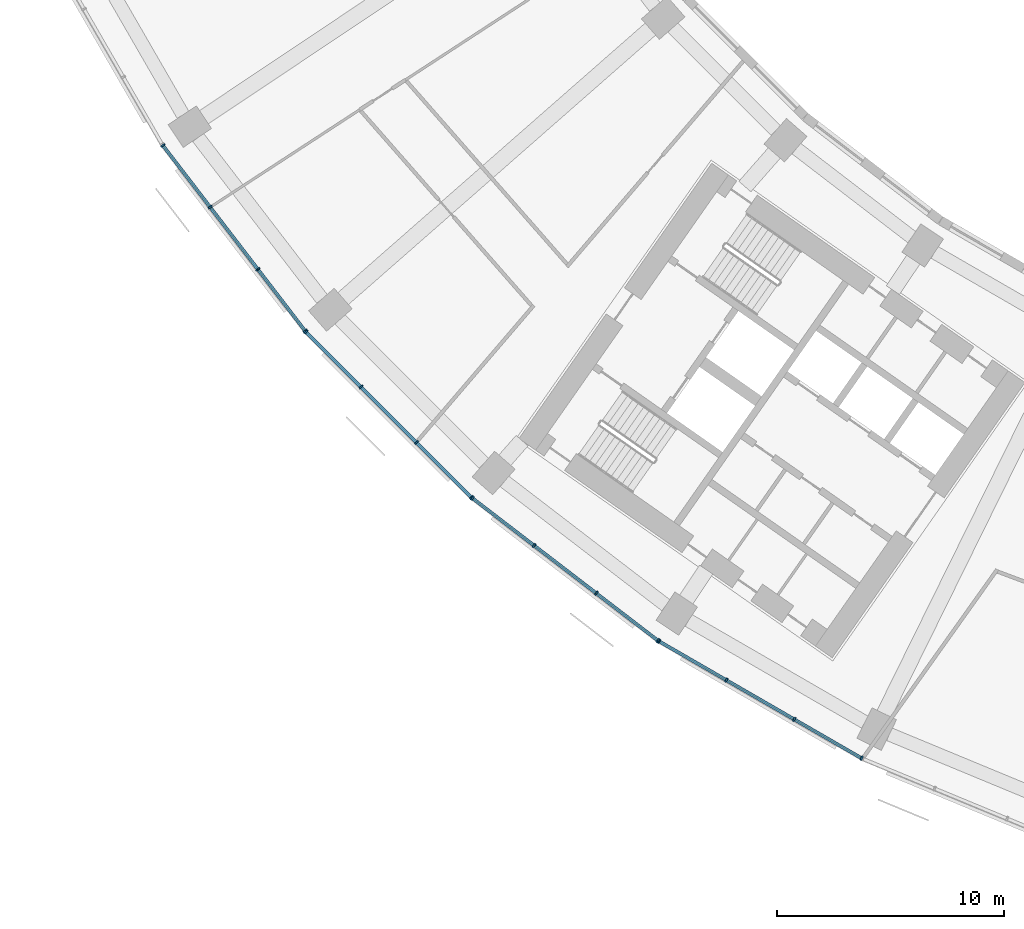
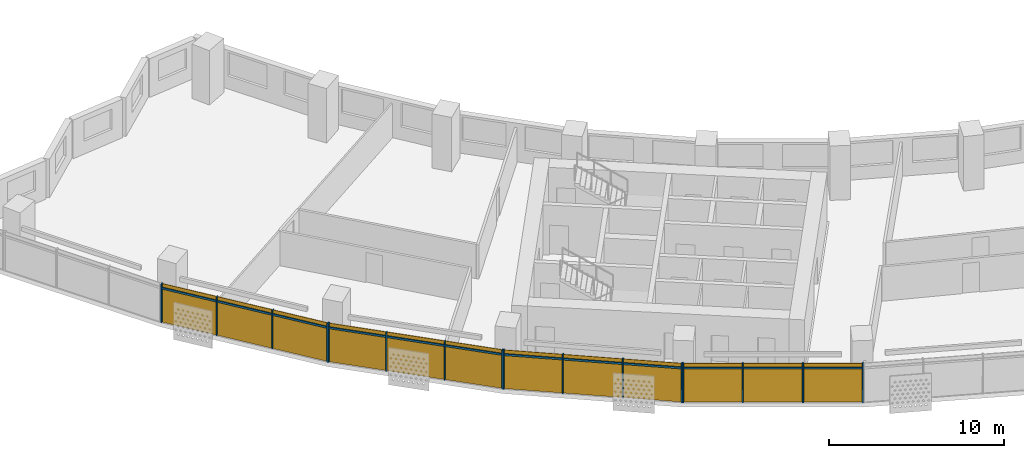
# One storey, part 18 of 29: 28 members, 4 curtain walls.
"""IFC4 building model written with IfcOpenShell, lengths in metres."""

from ifc_helpers import new_model, si_unit, direction, frame, origin, origin_2d, place, context, subcontext, project, spatial, rectangle, extrude, material, material_profile, profile_set, type_object, element, aggregate, save


model = new_model("IFC4")

# Units and contexts
model_context = context("Model", 3, precision=1e-05, world=origin(), true_north=direction((0.0, 1.0)))
body_context = subcontext(model_context, "Body", "Model", "MODEL_VIEW")
ifc_project = project(units=[si_unit("LENGTHUNIT", "METRE"), si_unit("AREAUNIT", "SQUARE_METRE"), si_unit("VOLUMEUNIT", "CUBIC_METRE"), si_unit("PLANEANGLEUNIT", "RADIAN"), si_unit("MASSUNIT", "GRAM", prefix="KILO")], contexts=[model_context])

# Member
ifc_material = material(Name="Aluminium 6063-T6 anodised", Category="aluminium")
ifc_material_profile_1 = material_profile(ifc_material, rectangle(XDim=0.199951171875, YDim=0.070068359375, at=origin_2d()))
ifc_profile_set_1 = profile_set([ifc_material_profile_1], Name="Aluminium 6063-T6 anodised")
member_type_1 = type_object("IfcMemberType", Name="Mullion 70 x 200 aluminium", PredefinedType="MULLION", material=ifc_profile_set_1)
site_placement = place(None, origin())
building_placement = place(site_placement, origin())
storey_placement = place(building_placement, frame((0.0, 0.0, 113.89990234375)))
member_1_placement = place(storey_placement, frame((-65.8349609375, -44.023681640625, 0.0), z_axis=(0.0, 0.0, 1.0), x_axis=(0.793353340291, 0.608761429009, 0.0)))
member_1 = element("IfcMember", 1, at=member_1_placement, type_object=member_type_1, Name="e-cw1-L25-out02/M00", PredefinedType="MULLION", context=body_context, shape_type="SweptSolid", body=[
    extrude(rectangle(XDim=0.199951171875, YDim=0.070068359375, at=origin_2d()), origin(), (0.0, 0.0, 1.0), 2.7001953125),
])

member_2_placement = place(storey_placement, frame((-63.751220703125, -46.739013671875, 0.0), z_axis=(0.0, 0.0, 1.0), x_axis=(0.793353340291, 0.608761429009, 0.0)))
member_2 = element("IfcMember", 2, at=member_2_placement, type_object=member_type_1, Name="e-cw1-L25-out02/M01", PredefinedType="MULLION", context=body_context, shape_type="SweptSolid", body=[
    extrude(rectangle(XDim=0.199951171875, YDim=0.070068359375, at=origin_2d()), origin(), (0.0, 0.0, 1.0), 2.7001953125),
])

member_3_placement = place(storey_placement, frame((-61.646484375, -49.482177734375, 0.0), z_axis=(0.0, 0.0, 1.0), x_axis=(0.793353340291, 0.608761429009, 0.0)))
member_3 = element("IfcMember", 3, at=member_3_placement, type_object=member_type_1, Name="e-cw1-L25-out02/M02", PredefinedType="MULLION", context=body_context, shape_type="SweptSolid", body=[
    extrude(rectangle(XDim=0.199951171875, YDim=0.070068359375, at=origin_2d()), origin(), (0.0, 0.0, 1.0), 2.7001953125),
])

member_4_placement = place(storey_placement, frame((-59.56298828125, -52.197509765625, 0.0), z_axis=(0.0, 0.0, 1.0), x_axis=(0.793353340291, 0.608761429009, 0.0)))
member_4 = element("IfcMember", 4, at=member_4_placement, type_object=member_type_1, Name="e-cw1-L25-out02/M03", PredefinedType="MULLION", context=body_context, shape_type="SweptSolid", body=[
    extrude(rectangle(XDim=0.199951171875, YDim=0.070068359375, at=origin_2d()), origin(), (0.0, 0.0, 1.0), 2.7001953125),
])

member_5_placement = place(storey_placement, frame((-59.525390625, -52.240234375, 0.0), z_axis=(0.0, 0.0, 1.0), x_axis=(0.707106781187, 0.707106781187, 0.0)))
member_5 = element("IfcMember", 5, at=member_5_placement, type_object=member_type_1, Name="e-cw1-L25-out03/M00", PredefinedType="MULLION", context=body_context, shape_type="SweptSolid", body=[
    extrude(rectangle(XDim=0.199951171875, YDim=0.070068359375, at=origin_2d()), origin(), (0.0, 0.0, 1.0), 2.7001953125),
])

member_6_placement = place(storey_placement, frame((-57.105224609375, -54.660400390625, 0.0), z_axis=(0.0, 0.0, 1.0), x_axis=(0.707106781187, 0.707106781187, 0.0)))
member_6 = element("IfcMember", 6, at=member_6_placement, type_object=member_type_1, Name="e-cw1-L25-out03/M01", PredefinedType="MULLION", context=body_context, shape_type="SweptSolid", body=[
    extrude(rectangle(XDim=0.199951171875, YDim=0.070068359375, at=origin_2d()), origin(), (0.0, 0.0, 1.0), 2.7001953125),
])

member_7_placement = place(storey_placement, frame((-54.660400390625, -57.105224609375, 0.0), z_axis=(0.0, 0.0, 1.0), x_axis=(0.707106781187, 0.707106781187, 0.0)))
member_7 = element("IfcMember", 7, at=member_7_placement, type_object=member_type_1, Name="e-cw1-L25-out03/M02", PredefinedType="MULLION", context=body_context, shape_type="SweptSolid", body=[
    extrude(rectangle(XDim=0.199951171875, YDim=0.070068359375, at=origin_2d()), origin(), (0.0, 0.0, 1.0), 2.7001953125),
])

member_8_placement = place(storey_placement, frame((-52.240234375, -59.525390625, 0.0), z_axis=(0.0, 0.0, 1.0), x_axis=(0.707106781187, 0.707106781187, 0.0)))
member_8 = element("IfcMember", 8, at=member_8_placement, type_object=member_type_1, Name="e-cw1-L25-out03/M03", PredefinedType="MULLION", context=body_context, shape_type="SweptSolid", body=[
    extrude(rectangle(XDim=0.199951171875, YDim=0.070068359375, at=origin_2d()), origin(), (0.0, 0.0, 1.0), 2.7001953125),
])

member_9_placement = place(storey_placement, frame((-52.197509765625, -59.56298828125, 0.0), z_axis=(0.0, 0.0, 1.0), x_axis=(0.608761429009, 0.793353340291, 0.0)))
member_9 = element("IfcMember", 9, at=member_9_placement, type_object=member_type_1, Name="e-cw1-L25-out04/M00", PredefinedType="MULLION", context=body_context, shape_type="SweptSolid", body=[
    extrude(rectangle(XDim=0.199951171875, YDim=0.070068359375, at=origin_2d()), origin(), (0.0, 0.0, 1.0), 2.7001953125),
])

member_10_placement = place(storey_placement, frame((-49.482177734375, -61.646484375, 0.0), z_axis=(0.0, 0.0, 1.0), x_axis=(0.608761429009, 0.793353340291, 0.0)))
member_10 = element("IfcMember", 10, at=member_10_placement, type_object=member_type_1, Name="e-cw1-L25-out04/M01", PredefinedType="MULLION", context=body_context, shape_type="SweptSolid", body=[
    extrude(rectangle(XDim=0.199951171875, YDim=0.070068359375, at=origin_2d()), origin(), (0.0, 0.0, 1.0), 2.7001953125),
])

member_11_placement = place(storey_placement, frame((-46.739013671875, -63.751220703125, 0.0), z_axis=(0.0, 0.0, 1.0), x_axis=(0.608761429009, 0.793353340291, 0.0)))
member_11 = element("IfcMember", 11, at=member_11_placement, type_object=member_type_1, Name="e-cw1-L25-out04/M02", PredefinedType="MULLION", context=body_context, shape_type="SweptSolid", body=[
    extrude(rectangle(XDim=0.199951171875, YDim=0.070068359375, at=origin_2d()), origin(), (0.0, 0.0, 1.0), 2.7001953125),
])

member_12_placement = place(storey_placement, frame((-44.023681640625, -65.8349609375, 0.0), z_axis=(0.0, 0.0, 1.0), x_axis=(0.608761429009, 0.793353340291, 0.0)))
member_12 = element("IfcMember", 12, at=member_12_placement, type_object=member_type_1, Name="e-cw1-L25-out04/M03", PredefinedType="MULLION", context=body_context, shape_type="SweptSolid", body=[
    extrude(rectangle(XDim=0.199951171875, YDim=0.070068359375, at=origin_2d()), origin(), (0.0, 0.0, 1.0), 2.7001953125),
])

member_13_placement = place(storey_placement, frame((-43.976318359375, -65.866455078125, 0.0), z_axis=(0.0, 0.0, 1.0), x_axis=(0.5, 0.866025403784, 0.0)))
member_13 = element("IfcMember", 13, at=member_13_placement, type_object=member_type_1, Name="e-cw1-L25-out05/M00", PredefinedType="MULLION", context=body_context, shape_type="SweptSolid", body=[
    extrude(rectangle(XDim=0.199951171875, YDim=0.070068359375, at=origin_2d()), origin(), (0.0, 0.0, 1.0), 2.7001953125),
])

member_14_placement = place(storey_placement, frame((-41.01220703125, -67.577880859375, 0.0), z_axis=(0.0, 0.0, 1.0), x_axis=(0.5, 0.866025403784, 0.0)))
member_14 = element("IfcMember", 14, at=member_14_placement, type_object=member_type_1, Name="e-cw1-L25-out05/M01", PredefinedType="MULLION", context=body_context, shape_type="SweptSolid", body=[
    extrude(rectangle(XDim=0.199951171875, YDim=0.070068359375, at=origin_2d()), origin(), (0.0, 0.0, 1.0), 2.7001953125),
])

member_15_placement = place(storey_placement, frame((-38.017822265625, -69.306640625, 0.0), z_axis=(0.0, 0.0, 1.0), x_axis=(0.5, 0.866025403784, 0.0)))
member_15 = element("IfcMember", 15, at=member_15_placement, type_object=member_type_1, Name="e-cw1-L25-out05/M02", PredefinedType="MULLION", context=body_context, shape_type="SweptSolid", body=[
    extrude(rectangle(XDim=0.199951171875, YDim=0.070068359375, at=origin_2d()), origin(), (0.0, 0.0, 1.0), 2.7001953125),
])

member_16_placement = place(storey_placement, frame((-35.0537109375, -71.017822265625, 0.0), z_axis=(0.0, 0.0, 1.0), x_axis=(0.5, 0.866025403784, 0.0)))
member_16 = element("IfcMember", 16, at=member_16_placement, type_object=member_type_1, Name="e-cw1-L25-out05/M03", PredefinedType="MULLION", context=body_context, shape_type="SweptSolid", body=[
    extrude(rectangle(XDim=0.199951171875, YDim=0.070068359375, at=origin_2d()), origin(), (0.0, 0.0, 1.0), 2.7001953125),
])

ifc_material_profile_2 = material_profile(ifc_material, rectangle(XDim=0.139892578125, YDim=0.1201171875, at=origin_2d()))
ifc_profile_set_2 = profile_set([ifc_material_profile_2], Name="Aluminium 6063-T6 anodised")
member_type_2 = type_object("IfcMemberType", Name="Transom 120 x 140 aluminium", PredefinedType="USERDEFINED", material=ifc_profile_set_2)
member_17_placement = place(storey_placement, frame((-65.8134765625, -44.05126953125, 2.400146484375), z_axis=(0.608714331426, -0.793389477316, 0.0), x_axis=(0.793389477316, 0.608714331426, 0.0)))
member_17 = element("IfcMember", 17, at=member_17_placement, type_object=member_type_2, Name="e-cw1-L25-out02/T00", ObjectType="TRANSOM", PredefinedType="USERDEFINED", context=body_context, shape_type="SweptSolid", body=[
    extrude(rectangle(XDim=0.139892578125, YDim=0.1201171875, at=origin_2d()), origin(), (0.0, 0.0, 1.0), 3.3525390625),
])

member_18_placement = place(storey_placement, frame((-63.72998046875, -46.766845703125, 2.400146484375), z_axis=(0.608773427772, -0.793344133173, 0.0), x_axis=(0.793344133173, 0.608773427772, 0.0)))
member_18 = element("IfcMember", 18, at=member_18_placement, type_object=member_type_2, Name="e-cw1-L25-out02/T01", ObjectType="TRANSOM", PredefinedType="USERDEFINED", context=body_context, shape_type="SweptSolid", body=[
    extrude(rectangle(XDim=0.139892578125, YDim=0.1201171875, at=origin_2d()), origin(), (0.0, 0.0, 1.0), 3.387451171875),
])

member_19_placement = place(storey_placement, frame((-61.625244140625, -49.509765625, 2.400146484375), z_axis=(0.608760167055, -0.793354308621, 0.0), x_axis=(0.793354308621, 0.608760167055, 0.0)))
member_19 = element("IfcMember", 19, at=member_19_placement, type_object=member_type_2, Name="e-cw1-L25-out02/T02", ObjectType="TRANSOM", PredefinedType="USERDEFINED", context=body_context, shape_type="SweptSolid", body=[
    extrude(rectangle(XDim=0.139892578125, YDim=0.1201171875, at=origin_2d()), origin(), (0.0, 0.0, 1.0), 3.352783203125),
])

member_20_placement = place(storey_placement, frame((-59.500732421875, -52.264892578125, 2.400146484375), z_axis=(0.707106781187, -0.707106781187, 0.0), x_axis=(0.707106781187, 0.707106781187, 0.0)))
member_20 = element("IfcMember", 20, at=member_20_placement, type_object=member_type_2, Name="e-cw1-L25-out03/T00", ObjectType="TRANSOM", PredefinedType="USERDEFINED", context=body_context, shape_type="SweptSolid", body=[
    extrude(rectangle(XDim=0.139892578125, YDim=0.1201171875, at=origin_2d()), origin(), (0.0, 0.0, 1.0), 3.3525390625),
])

member_21_placement = place(storey_placement, frame((-57.08056640625, -54.68505859375, 2.400146484375), z_axis=(0.707106781187, -0.707106781187, 0.0), x_axis=(0.707106781187, 0.707106781187, 0.0)))
member_21 = element("IfcMember", 21, at=member_21_placement, type_object=member_type_2, Name="e-cw1-L25-out03/T01", ObjectType="TRANSOM", PredefinedType="USERDEFINED", context=body_context, shape_type="SweptSolid", body=[
    extrude(rectangle(XDim=0.139892578125, YDim=0.1201171875, at=origin_2d()), origin(), (0.0, 0.0, 1.0), 3.3876953125),
])

member_22_placement = place(storey_placement, frame((-54.635498046875, -57.130126953125, 2.400146484375), z_axis=(0.707106781187, -0.707106781187, 0.0), x_axis=(0.707106781187, 0.707106781187, 0.0)))
member_22 = element("IfcMember", 22, at=member_22_placement, type_object=member_type_2, Name="e-cw1-L25-out03/T02", ObjectType="TRANSOM", PredefinedType="USERDEFINED", context=body_context, shape_type="SweptSolid", body=[
    extrude(rectangle(XDim=0.139892578125, YDim=0.1201171875, at=origin_2d()), origin(), (0.0, 0.0, 1.0), 3.3525390625),
])

member_23_placement = place(storey_placement, frame((-52.169677734375, -59.584228515625, 2.400146484375), z_axis=(0.793354308621, -0.608760167055, 0.0), x_axis=(0.608760167055, 0.793354308621, 0.0)))
member_23 = element("IfcMember", 23, at=member_23_placement, type_object=member_type_2, Name="e-cw1-L25-out04/T00", ObjectType="TRANSOM", PredefinedType="USERDEFINED", context=body_context, shape_type="SweptSolid", body=[
    extrude(rectangle(XDim=0.139892578125, YDim=0.1201171875, at=origin_2d()), origin(), (0.0, 0.0, 1.0), 3.352783203125),
])

member_24_placement = place(storey_placement, frame((-49.454345703125, -61.667724609375, 2.400146484375), z_axis=(0.793344133173, -0.608773427772, 0.0), x_axis=(0.608773427772, 0.793344133173, 0.0)))
member_24 = element("IfcMember", 24, at=member_24_placement, type_object=member_type_2, Name="e-cw1-L25-out04/T01", ObjectType="TRANSOM", PredefinedType="USERDEFINED", context=body_context, shape_type="SweptSolid", body=[
    extrude(rectangle(XDim=0.139892578125, YDim=0.1201171875, at=origin_2d()), origin(), (0.0, 0.0, 1.0), 3.387451171875),
])

member_25_placement = place(storey_placement, frame((-46.711181640625, -63.772705078125, 2.400146484375), z_axis=(0.793389477316, -0.608714331426, 0.0), x_axis=(0.608714331426, 0.793389477316, 0.0)))
member_25 = element("IfcMember", 25, at=member_25_placement, type_object=member_type_2, Name="e-cw1-L25-out04/T02", ObjectType="TRANSOM", PredefinedType="USERDEFINED", context=body_context, shape_type="SweptSolid", body=[
    extrude(rectangle(XDim=0.139892578125, YDim=0.1201171875, at=origin_2d()), origin(), (0.0, 0.0, 1.0), 3.3525390625),
])

member_26_placement = place(storey_placement, frame((-43.946044921875, -65.884033203125, 2.400146484375), z_axis=(0.866020654818, -0.50000822536, 0.0), x_axis=(0.50000822536, 0.866020654818, 0.0)))
member_26 = element("IfcMember", 26, at=member_26_placement, type_object=member_type_2, Name="e-cw1-L25-out05/T00", ObjectType="TRANSOM", PredefinedType="USERDEFINED", context=body_context, shape_type="SweptSolid", body=[
    extrude(rectangle(XDim=0.139892578125, YDim=0.1201171875, at=origin_2d()), origin(), (0.0, 0.0, 1.0), 3.3525390625),
])

member_27_placement = place(storey_placement, frame((-40.98193359375, -67.59521484375, 2.400146484375), z_axis=(0.866025971257, -0.499999017107, 0.0), x_axis=(0.499999017107, 0.866025971257, 0.0)))
member_27 = element("IfcMember", 27, at=member_27_placement, type_object=member_type_2, Name="e-cw1-L25-out05/T01", ObjectType="TRANSOM", PredefinedType="USERDEFINED", context=body_context, shape_type="SweptSolid", body=[
    extrude(rectangle(XDim=0.139892578125, YDim=0.1201171875, at=origin_2d()), origin(), (0.0, 0.0, 1.0), 3.3876953125),
])

member_28_placement = place(storey_placement, frame((-37.987548828125, -69.323974609375, 2.400146484375), z_axis=(0.865989120267, -0.50006283963, 0.0), x_axis=(0.50006283963, 0.865989120267, 0.0)))
member_28 = element("IfcMember", 28, at=member_28_placement, type_object=member_type_2, Name="e-cw1-L25-out05/T02", ObjectType="TRANSOM", PredefinedType="USERDEFINED", context=body_context, shape_type="SweptSolid", body=[
    extrude(rectangle(XDim=0.139892578125, YDim=0.1201171875, at=origin_2d()), origin(), (0.0, 0.0, 1.0), 3.3525390625),
])

# Site, building, storey
site = spatial("IfcSite", under=ifc_project, at=site_placement, CompositionType="ELEMENT")
building = spatial("IfcBuilding", under=site, at=building_placement, Name="Qamariyya Broadcast Tower", CompositionType="ELEMENT")
storey = spatial("IfcBuildingStorey", under=building, at=storey_placement, Name="L25", CompositionType="ELEMENT", Elevation=113.89990234375)

# Curtain wall
curtain_wall_type = type_object("IfcCurtainWallType", Name="Unitised curtain wall, anodised aluminium", PredefinedType="NOTDEFINED", material=ifc_material)
curtain_wall_1_placement = place(storey_placement, origin())
curtain_wall_1 = element("IfcCurtainWall", 29, at=curtain_wall_1_placement, inside=storey, type_object=curtain_wall_type, Name="e-cw1-L25-out02", PredefinedType="NOTDEFINED", context=body_context, shape_type="SweptSolid", body=[
    extrude(rectangle(XDim=3.352783203125, YDim=0.031982421875, at=origin_2d()), frame((-64.793212890625, -45.38134765625, 0.0), x_axis=(0.608760568165, -0.793354000839, 0.0)), (0.0, 0.0, 1.0), 2.340087890625),
    extrude(rectangle(XDim=3.352783203125, YDim=0.031982421875, at=origin_2d()), frame((-64.793212890625, -45.38134765625, 2.460205078125), x_axis=(0.608760568165, -0.793354000839, 0.0)), (0.0, 0.0, 1.0), 0.239990234375),
    extrude(rectangle(XDim=3.3876953125, YDim=0.031982421875, at=origin_2d()), frame((-62.69873046875, -48.110595703125, 0.0), x_axis=(0.608760568165, -0.793354000839, 0.0)), (0.0, 0.0, 1.0), 2.340087890625),
    extrude(rectangle(XDim=3.3876953125, YDim=0.031982421875, at=origin_2d()), frame((-62.69873046875, -48.110595703125, 2.460205078125), x_axis=(0.608760568165, -0.793354000839, 0.0)), (0.0, 0.0, 1.0), 0.239990234375),
    extrude(rectangle(XDim=3.352783203125, YDim=0.031982421875, at=origin_2d()), frame((-60.6044921875, -50.83984375, 0.0), x_axis=(0.608760568165, -0.793354000839, 0.0)), (0.0, 0.0, 1.0), 2.340087890625),
    extrude(rectangle(XDim=3.352783203125, YDim=0.031982421875, at=origin_2d()), frame((-60.6044921875, -50.83984375, 2.460205078125), x_axis=(0.608760568165, -0.793354000839, 0.0)), (0.0, 0.0, 1.0), 0.239990234375),
])

aggregate(curtain_wall_1, [member_1, member_2, member_3, member_4, member_17, member_18, member_19])

curtain_wall_2_placement = place(storey_placement, origin())
curtain_wall_2 = element("IfcCurtainWall", 30, at=curtain_wall_2_placement, inside=storey, type_object=curtain_wall_type, Name="e-cw1-L25-out03", PredefinedType="NOTDEFINED", context=body_context, shape_type="SweptSolid", body=[
    extrude(rectangle(XDim=3.352783203125, YDim=0.031982421875, at=origin_2d()), frame((-58.3154296875, -53.4501953125, 0.0), x_axis=(0.707106781187, -0.707106781187, 0.0)), (0.0, 0.0, 1.0), 2.340087890625),
    extrude(rectangle(XDim=3.352783203125, YDim=0.031982421875, at=origin_2d()), frame((-58.3154296875, -53.4501953125, 2.460205078125), x_axis=(0.707106781187, -0.707106781187, 0.0)), (0.0, 0.0, 1.0), 0.239990234375),
    extrude(rectangle(XDim=3.3876953125, YDim=0.031982421875, at=origin_2d()), frame((-55.8828125, -55.8828125, 0.0), x_axis=(0.707106781187, -0.707106781187, 0.0)), (0.0, 0.0, 1.0), 2.340087890625),
    extrude(rectangle(XDim=3.3876953125, YDim=0.031982421875, at=origin_2d()), frame((-55.8828125, -55.8828125, 2.460205078125), x_axis=(0.707106781187, -0.707106781187, 0.0)), (0.0, 0.0, 1.0), 0.239990234375),
    extrude(rectangle(XDim=3.352783203125, YDim=0.031982421875, at=origin_2d()), frame((-53.4501953125, -58.3154296875, 0.0), x_axis=(0.707106781187, -0.707106781187, 0.0)), (0.0, 0.0, 1.0), 2.340087890625),
    extrude(rectangle(XDim=3.352783203125, YDim=0.031982421875, at=origin_2d()), frame((-53.4501953125, -58.3154296875, 2.460205078125), x_axis=(0.707106781187, -0.707106781187, 0.0)), (0.0, 0.0, 1.0), 0.239990234375),
])

aggregate(curtain_wall_2, [member_5, member_6, member_7, member_8, member_20, member_21, member_22])

curtain_wall_3_placement = place(storey_placement, origin())
curtain_wall_3 = element("IfcCurtainWall", 31, at=curtain_wall_3_placement, inside=storey, type_object=curtain_wall_type, Name="e-cw1-L25-out04", PredefinedType="NOTDEFINED", context=body_context, shape_type="SweptSolid", body=[
    extrude(rectangle(XDim=3.352783203125, YDim=0.031982421875, at=origin_2d()), frame((-50.83984375, -60.6044921875, 0.0), x_axis=(0.793354000839, -0.608760568165, 0.0)), (0.0, 0.0, 1.0), 2.340087890625),
    extrude(rectangle(XDim=3.352783203125, YDim=0.031982421875, at=origin_2d()), frame((-50.83984375, -60.6044921875, 2.460205078125), x_axis=(0.793354000839, -0.608760568165, 0.0)), (0.0, 0.0, 1.0), 0.239990234375),
    extrude(rectangle(XDim=3.3876953125, YDim=0.031982421875, at=origin_2d()), frame((-48.110595703125, -62.69873046875, 0.0), x_axis=(0.793354000839, -0.608760568165, 0.0)), (0.0, 0.0, 1.0), 2.340087890625),
    extrude(rectangle(XDim=3.3876953125, YDim=0.031982421875, at=origin_2d()), frame((-48.110595703125, -62.69873046875, 2.460205078125), x_axis=(0.793354000839, -0.608760568165, 0.0)), (0.0, 0.0, 1.0), 0.239990234375),
    extrude(rectangle(XDim=3.352783203125, YDim=0.031982421875, at=origin_2d()), frame((-45.38134765625, -64.793212890625, 0.0), x_axis=(0.793354000839, -0.608760568165, 0.0)), (0.0, 0.0, 1.0), 2.340087890625),
    extrude(rectangle(XDim=3.352783203125, YDim=0.031982421875, at=origin_2d()), frame((-45.38134765625, -64.793212890625, 2.460205078125), x_axis=(0.793354000839, -0.608760568165, 0.0)), (0.0, 0.0, 1.0), 0.239990234375),
])

aggregate(curtain_wall_3, [member_9, member_10, member_11, member_12, member_23, member_24, member_25])

curtain_wall_4_placement = place(storey_placement, origin())
curtain_wall_4 = element("IfcCurtainWall", 32, at=curtain_wall_4_placement, inside=storey, type_object=curtain_wall_type, Name="e-cw1-L25-out05", PredefinedType="NOTDEFINED", context=body_context, shape_type="SweptSolid", body=[
    extrude(rectangle(XDim=3.352783203125, YDim=0.031982421875, at=origin_2d()), frame((-42.494384765625, -66.72216796875, 0.0), x_axis=(0.866027243369, -0.499996813733, 0.0)), (0.0, 0.0, 1.0), 2.340087890625),
    extrude(rectangle(XDim=3.352783203125, YDim=0.031982421875, at=origin_2d()), frame((-42.494384765625, -66.72216796875, 2.460205078125), x_axis=(0.866027243369, -0.499996813733, 0.0)), (0.0, 0.0, 1.0), 0.239990234375),
    extrude(rectangle(XDim=3.3876953125, YDim=0.031982421875, at=origin_2d()), frame((-39.51513671875, -68.442138671875, 0.0), x_axis=(0.866027243369, -0.499996813733, 0.0)), (0.0, 0.0, 1.0), 2.340087890625),
    extrude(rectangle(XDim=3.3876953125, YDim=0.031982421875, at=origin_2d()), frame((-39.51513671875, -68.442138671875, 2.460205078125), x_axis=(0.866027243369, -0.499996813733, 0.0)), (0.0, 0.0, 1.0), 0.239990234375),
    extrude(rectangle(XDim=3.352783203125, YDim=0.031982421875, at=origin_2d()), frame((-36.535888671875, -70.162109375, 0.0), x_axis=(0.866027243369, -0.499996813733, 0.0)), (0.0, 0.0, 1.0), 2.340087890625),
    extrude(rectangle(XDim=3.352783203125, YDim=0.031982421875, at=origin_2d()), frame((-36.535888671875, -70.162109375, 2.460205078125), x_axis=(0.866027243369, -0.499996813733, 0.0)), (0.0, 0.0, 1.0), 0.239990234375),
])

aggregate(curtain_wall_4, [member_13, member_14, member_15, member_16, member_26, member_27, member_28])

save(model, "model.ifc")
